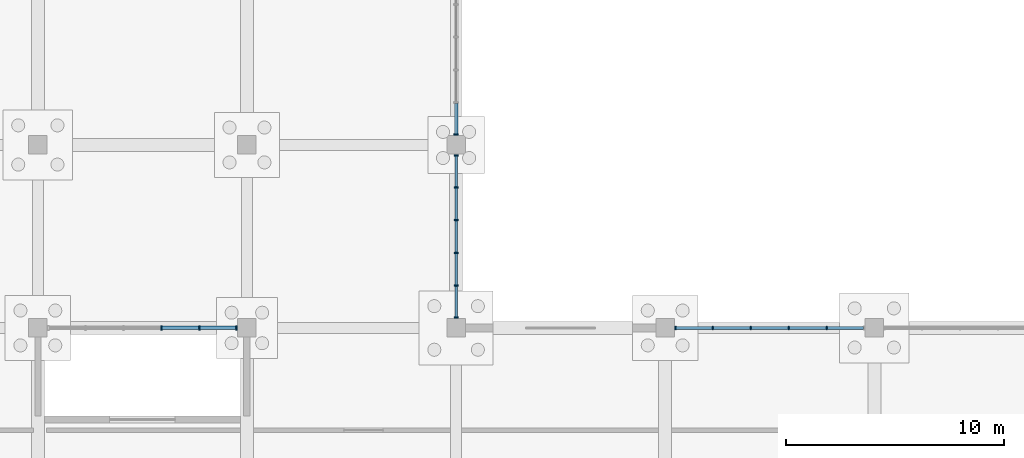
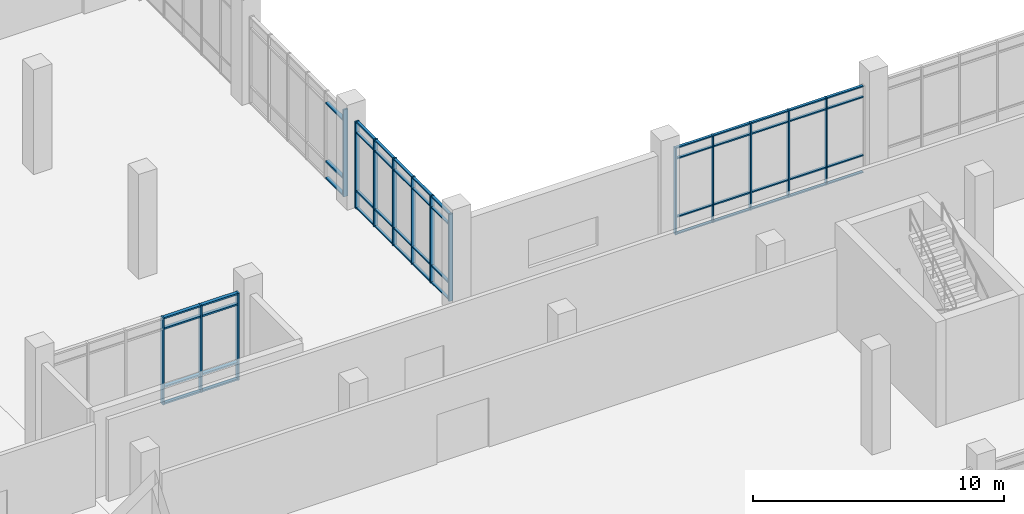
# One storey, part 45 of 136: 66 members, 4 elements without a shape of their own.
"""IFC4 building model written with IfcOpenShell, lengths in metres."""

from ifc_helpers import new_model, si_unit, direction, frame, origin, origin_2d, place, context, subcontext, project, spatial, rectangle, extrude, material, material_profile, profile_set, type_object, element, aggregate, save


model = new_model("IFC4")

# Units and contexts
model_context = context("Model", 3, precision=1e-05, world=origin(), true_north=direction((0.0, 1.0)))
body_context = subcontext(model_context, "Body", "Model", "MODEL_VIEW")
ifc_project = project(units=[si_unit("LENGTHUNIT", "METRE"), si_unit("AREAUNIT", "SQUARE_METRE"), si_unit("VOLUMEUNIT", "CUBIC_METRE"), si_unit("PLANEANGLEUNIT", "RADIAN"), si_unit("MASSUNIT", "GRAM", prefix="KILO")], contexts=[model_context])

# Site, building, storey
site_placement = place(None, origin())
site = spatial("IfcSite", under=ifc_project, at=site_placement, CompositionType="ELEMENT")
building_placement = place(site_placement, origin())
building = spatial("IfcBuilding", under=site, at=building_placement, Name="Oolite Switchyard Hospital", CompositionType="ELEMENT")
storey_placement = place(building_placement, origin())
storey = spatial("IfcBuildingStorey", under=building, at=storey_placement, Name="L00", CompositionType="ELEMENT", Elevation=0.0)

# Curtain wall, members
ifc_material_1 = material(Name="Thermally broken aluminum frame with laminated impact glazing", Category="aluminium")
curtain_wall_type_1 = type_object("IfcCurtainWallType", Name="CW-UNIT-96X51", PredefinedType="USERDEFINED", material=ifc_material_1)
curtain_wall_1_placement = place(storey_placement, origin())
curtain_wall_1 = element("IfcCurtainWall", 1, at=curtain_wall_1_placement, inside=storey, type_object=curtain_wall_type_1, Name="L00 Unitised Curtain Wall 42", ObjectType="UNITISED", PredefinedType="USERDEFINED")
ifc_material_2 = material(Name="Aluminium 6063-T6", Category="aluminium")
ifc_material_profile_1 = material_profile(ifc_material_2, rectangle(XDim=0.159912109375, YDim=0.06005859375, at=origin_2d()), Name="CWM60X160")
ifc_profile_set_1 = profile_set([ifc_material_profile_1], Name="Aluminium 6063-T6")
member_type_1 = type_object("IfcMemberType", Name="CW-MUL-180", PredefinedType="MULLION", material=ifc_profile_set_1)
member_1_placement = place(storey_placement, frame((86.8701171875, 109.199951171875, 0.0), z_axis=(0.0, 0.0, 1.0), x_axis=(0.0, 1.0, 0.0)))
member_1 = element("IfcMember", 2, at=member_1_placement, type_object=member_type_1, Name="CW-01 mullion 1", PredefinedType="MULLION", context=body_context, shape_type="SweptSolid", body=[
    extrude(rectangle(XDim=0.159912109375, YDim=0.06005859375, at=origin_2d()), origin(), (0.0, 0.0, 1.0), 4.239990234375),
])
member_2_placement = place(storey_placement, frame((88.583984375, 109.199951171875, 0.0), z_axis=(0.0, 0.0, 1.0), x_axis=(0.0, 1.0, 0.0)))
member_2 = element("IfcMember", 3, at=member_2_placement, type_object=member_type_1, Name="CW-01 mullion 2", PredefinedType="MULLION", context=body_context, shape_type="SweptSolid", body=[
    extrude(rectangle(XDim=0.159912109375, YDim=0.06005859375, at=origin_2d()), origin(), (0.0, 0.0, 1.0), 4.239990234375),
])
member_3_placement = place(storey_placement, frame((90.327880859375, 109.199951171875, 0.0), z_axis=(0.0, 0.0, 1.0), x_axis=(0.0, 1.0, 0.0)))
member_3 = element("IfcMember", 4, at=member_3_placement, type_object=member_type_1, Name="CW-01 mullion 3", PredefinedType="MULLION", context=body_context, shape_type="SweptSolid", body=[
    extrude(rectangle(XDim=0.159912109375, YDim=0.06005859375, at=origin_2d()), origin(), (0.0, 0.0, 1.0), 4.239990234375),
])
member_4_placement = place(storey_placement, frame((92.072021484375, 109.199951171875, 0.0), z_axis=(0.0, 0.0, 1.0), x_axis=(0.0, 1.0, 0.0)))
member_4 = element("IfcMember", 5, at=member_4_placement, type_object=member_type_1, Name="CW-01 mullion 4", PredefinedType="MULLION", context=body_context, shape_type="SweptSolid", body=[
    extrude(rectangle(XDim=0.159912109375, YDim=0.06005859375, at=origin_2d()), origin(), (0.0, 0.0, 1.0), 4.239990234375),
])
member_5_placement = place(storey_placement, frame((93.81591796875, 109.199951171875, 0.0), z_axis=(0.0, 0.0, 1.0), x_axis=(0.0, 1.0, 0.0)))
member_5 = element("IfcMember", 6, at=member_5_placement, type_object=member_type_1, Name="CW-01 mullion 5", PredefinedType="MULLION", context=body_context, shape_type="SweptSolid", body=[
    extrude(rectangle(XDim=0.159912109375, YDim=0.06005859375, at=origin_2d()), origin(), (0.0, 0.0, 1.0), 4.239990234375),
])

curtain_wall_type_2 = type_object("IfcCurtainWallType", Name="CW-UNIT-84X51", PredefinedType="USERDEFINED", material=ifc_material_1)
curtain_wall_2_placement = place(storey_placement, origin())
curtain_wall_2 = element("IfcCurtainWall", 7, at=curtain_wall_2_placement, inside=storey, type_object=curtain_wall_type_2, Name="L00 Unitised Curtain Wall 64", ObjectType="UNITISED", PredefinedType="USERDEFINED")
ifc_material_profile_2 = material_profile(ifc_material_2, rectangle(XDim=0.179931640625, YDim=0.070068359375, at=origin_2d()), Name="CWM70X180")
ifc_profile_set_2 = profile_set([ifc_material_profile_2], Name="Aluminium 6063-T6")
member_type_2 = type_object("IfcMemberType", Name="CW-MUL-220", PredefinedType="MULLION", material=ifc_profile_set_2)
member_6_placement = place(storey_placement, frame((76.800048828125, 117.125, 0.0), z_axis=(0.0, 0.0, 1.0), x_axis=(1.0, 0.0, 0.0)))
member_6 = element("IfcMember", 8, at=member_6_placement, type_object=member_type_2, Name="CW-06 mullion 1", PredefinedType="MULLION", context=body_context, shape_type="SweptSolid", body=[
    extrude(rectangle(XDim=0.179931640625, YDim=0.070068359375, at=origin_2d()), origin(), (0.0, 0.0, 1.0), 4.239990234375),
])
member_7_placement = place(storey_placement, frame((76.800048828125, 115.656005859375, 0.0), z_axis=(0.0, 0.0, 1.0), x_axis=(1.0, 0.0, 0.0)))
member_7 = element("IfcMember", 9, at=member_7_placement, type_object=member_type_2, Name="CW-06 mullion 2", PredefinedType="MULLION", context=body_context, shape_type="SweptSolid", body=[
    extrude(rectangle(XDim=0.179931640625, YDim=0.070068359375, at=origin_2d()), origin(), (0.0, 0.0, 1.0), 4.239990234375),
])
member_8_placement = place(storey_placement, frame((76.800048828125, 114.152099609375, 0.0), z_axis=(0.0, 0.0, 1.0), x_axis=(1.0, 0.0, 0.0)))
member_8 = element("IfcMember", 10, at=member_8_placement, type_object=member_type_2, Name="CW-06 mullion 3", PredefinedType="MULLION", context=body_context, shape_type="SweptSolid", body=[
    extrude(rectangle(XDim=0.179931640625, YDim=0.070068359375, at=origin_2d()), origin(), (0.0, 0.0, 1.0), 4.239990234375),
])
member_9_placement = place(storey_placement, frame((76.800048828125, 112.64794921875, 0.0), z_axis=(0.0, 0.0, 1.0), x_axis=(1.0, 0.0, 0.0)))
member_9 = element("IfcMember", 11, at=member_9_placement, type_object=member_type_2, Name="CW-06 mullion 4", PredefinedType="MULLION", context=body_context, shape_type="SweptSolid", body=[
    extrude(rectangle(XDim=0.179931640625, YDim=0.070068359375, at=origin_2d()), origin(), (0.0, 0.0, 1.0), 4.239990234375),
])
member_10_placement = place(storey_placement, frame((76.800048828125, 111.14404296875, 0.0), z_axis=(0.0, 0.0, 1.0), x_axis=(1.0, 0.0, 0.0)))
member_10 = element("IfcMember", 12, at=member_10_placement, type_object=member_type_2, Name="CW-06 mullion 5", PredefinedType="MULLION", context=body_context, shape_type="SweptSolid", body=[
    extrude(rectangle(XDim=0.179931640625, YDim=0.070068359375, at=origin_2d()), origin(), (0.0, 0.0, 1.0), 4.239990234375),
])
member_11_placement = place(storey_placement, frame((76.800048828125, 109.675048828125, 0.0), z_axis=(0.0, 0.0, 1.0), x_axis=(1.0, 0.0, 0.0)))
member_11 = element("IfcMember", 13, at=member_11_placement, type_object=member_type_2, Name="CW-06 mullion 6", PredefinedType="MULLION", context=body_context, shape_type="SweptSolid", body=[
    extrude(rectangle(XDim=0.179931640625, YDim=0.070068359375, at=origin_2d()), origin(), (0.0, 0.0, 1.0), 4.239990234375),
])

curtain_wall_3_placement = place(storey_placement, origin())
curtain_wall_3 = element("IfcCurtainWall", 14, at=curtain_wall_3_placement, inside=storey, type_object=curtain_wall_type_1, Name="L00 Unitised Curtain Wall 41", ObjectType="UNITISED", PredefinedType="USERDEFINED")
ifc_material_profile_3 = material_profile(ifc_material_2, rectangle(XDim=0.199951171875, YDim=0.074951171875, at=origin_2d()), Name="CWM75X200")
ifc_profile_set_3 = profile_set([ifc_material_profile_3], Name="Aluminium 6063-T6")
member_type_3 = type_object("IfcMemberType", Name="CW-MUL-260", PredefinedType="MULLION", material=ifc_profile_set_3)
member_12_placement = place(storey_placement, frame((66.722412109375, 109.199951171875, 0.0), z_axis=(0.0, 0.0, 1.0), x_axis=(0.0, -1.0, 0.0)))
member_12 = element("IfcMember", 15, at=member_12_placement, type_object=member_type_3, Name="CW-01 mullion 1", PredefinedType="MULLION", context=body_context, shape_type="SweptSolid", body=[
    extrude(rectangle(XDim=0.199951171875, YDim=0.074951171875, at=origin_2d()), origin(), (0.0, 0.0, 1.0), 4.239990234375),
])
member_13_placement = place(storey_placement, frame((65.01611328125, 109.199951171875, 0.0), z_axis=(0.0, 0.0, 1.0), x_axis=(0.0, -1.0, 0.0)))
member_13 = element("IfcMember", 16, at=member_13_placement, type_object=member_type_3, Name="CW-01 mullion 2", PredefinedType="MULLION", context=body_context, shape_type="SweptSolid", body=[
    extrude(rectangle(XDim=0.199951171875, YDim=0.074951171875, at=origin_2d()), origin(), (0.0, 0.0, 1.0), 4.239990234375),
])
member_14_placement = place(storey_placement, frame((63.27197265625, 109.199951171875, 0.0), z_axis=(0.0, 0.0, 1.0), x_axis=(0.0, -1.0, 0.0)))
member_14 = element("IfcMember", 17, at=member_14_placement, type_object=member_type_3, Name="CW-01 mullion 3", PredefinedType="MULLION", context=body_context, shape_type="SweptSolid", body=[
    extrude(rectangle(XDim=0.199951171875, YDim=0.074951171875, at=origin_2d()), origin(), (0.0, 0.0, 1.0), 4.239990234375),
])

# Curtain wall, member
curtain_wall_4_placement = place(storey_placement, origin())
curtain_wall_4 = element("IfcCurtainWall", 18, at=curtain_wall_4_placement, inside=storey, type_object=curtain_wall_type_2, Name="L00 Unitised Curtain Wall 65", ObjectType="UNITISED", PredefinedType="USERDEFINED")
member_15_placement = place(storey_placement, frame((76.800048828125, 118.077392578125, 0.0), z_axis=(0.0, 0.0, 1.0), x_axis=(1.0, 0.0, 0.0)))
member_15 = element("IfcMember", 19, at=member_15_placement, type_object=member_type_3, Name="CW-06 mullion 6", PredefinedType="MULLION", context=body_context, shape_type="SweptSolid", body=[
    extrude(rectangle(XDim=0.199951171875, YDim=0.074951171875, at=origin_2d()), origin(), (0.0, 0.0, 1.0), 4.239990234375),
])

# Member
ifc_material_profile_4 = material_profile(ifc_material_2, rectangle(XDim=0.1201171875, YDim=0.06005859375, at=origin_2d()), Name="CWT60X120")
ifc_profile_set_4 = profile_set([ifc_material_profile_4], Name="Aluminium 6063-T6")
member_type_4 = type_object("IfcMemberType", Name="CW-TRN-150", PredefinedType="USERDEFINED", material=ifc_profile_set_4)
member_16_placement = place(storey_placement, frame((86.89990234375, 109.199951171875, 0.030029296875), z_axis=(1.0, 0.0, 0.0), x_axis=(0.0, 1.0, 0.0)))
member_16 = element("IfcMember", 20, at=member_16_placement, type_object=member_type_4, Name="CW-01 transom 1.1", ObjectType="TRANSOM", PredefinedType="USERDEFINED", context=body_context, shape_type="SweptSolid", body=[
    extrude(rectangle(XDim=0.1201171875, YDim=0.06005859375, at=origin_2d()), origin(), (0.0, 0.0, 1.0), 1.654052734375),
])

member_17_placement = place(storey_placement, frame((86.89990234375, 109.199951171875, 0.85009765625), z_axis=(1.0, 0.0, 0.0), x_axis=(0.0, 1.0, 0.0)))
member_17 = element("IfcMember", 21, at=member_17_placement, type_object=member_type_4, Name="CW-01 transom 1.2", ObjectType="TRANSOM", PredefinedType="USERDEFINED", context=body_context, shape_type="SweptSolid", body=[
    extrude(rectangle(XDim=0.1201171875, YDim=0.06005859375, at=origin_2d()), origin(), (0.0, 0.0, 1.0), 1.654052734375),
])

member_18_placement = place(storey_placement, frame((86.89990234375, 109.199951171875, 3.68994140625), z_axis=(1.0, 0.0, 0.0), x_axis=(0.0, 1.0, 0.0)))
member_18 = element("IfcMember", 22, at=member_18_placement, type_object=member_type_4, Name="CW-01 transom 1.3", ObjectType="TRANSOM", PredefinedType="USERDEFINED", context=body_context, shape_type="SweptSolid", body=[
    extrude(rectangle(XDim=0.1201171875, YDim=0.06005859375, at=origin_2d()), origin(), (0.0, 0.0, 1.0), 1.654052734375),
])

member_19_placement = place(storey_placement, frame((86.89990234375, 109.199951171875, 4.2099609375), z_axis=(1.0, 0.0, 0.0), x_axis=(0.0, 1.0, 0.0)))
member_19 = element("IfcMember", 23, at=member_19_placement, type_object=member_type_4, Name="CW-01 transom 1.4", ObjectType="TRANSOM", PredefinedType="USERDEFINED", context=body_context, shape_type="SweptSolid", body=[
    extrude(rectangle(XDim=0.1201171875, YDim=0.06005859375, at=origin_2d()), origin(), (0.0, 0.0, 1.0), 1.654052734375),
])

member_20_placement = place(storey_placement, frame((88.614013671875, 109.199951171875, 0.030029296875), z_axis=(1.0, 0.0, 0.0), x_axis=(0.0, 1.0, 0.0)))
member_20 = element("IfcMember", 24, at=member_20_placement, type_object=member_type_4, Name="CW-01 transom 2.1", ObjectType="TRANSOM", PredefinedType="USERDEFINED", context=body_context, shape_type="SweptSolid", body=[
    extrude(rectangle(XDim=0.1201171875, YDim=0.06005859375, at=origin_2d()), origin(), (0.0, 0.0, 1.0), 1.68408203125),
])

member_21_placement = place(storey_placement, frame((88.614013671875, 109.199951171875, 0.85009765625), z_axis=(1.0, 0.0, 0.0), x_axis=(0.0, 1.0, 0.0)))
member_21 = element("IfcMember", 25, at=member_21_placement, type_object=member_type_4, Name="CW-01 transom 2.2", ObjectType="TRANSOM", PredefinedType="USERDEFINED", context=body_context, shape_type="SweptSolid", body=[
    extrude(rectangle(XDim=0.1201171875, YDim=0.06005859375, at=origin_2d()), origin(), (0.0, 0.0, 1.0), 1.68408203125),
])

member_22_placement = place(storey_placement, frame((88.614013671875, 109.199951171875, 3.68994140625), z_axis=(1.0, 0.0, 0.0), x_axis=(0.0, 1.0, 0.0)))
member_22 = element("IfcMember", 26, at=member_22_placement, type_object=member_type_4, Name="CW-01 transom 2.3", ObjectType="TRANSOM", PredefinedType="USERDEFINED", context=body_context, shape_type="SweptSolid", body=[
    extrude(rectangle(XDim=0.1201171875, YDim=0.06005859375, at=origin_2d()), origin(), (0.0, 0.0, 1.0), 1.68408203125),
])

member_23_placement = place(storey_placement, frame((88.614013671875, 109.199951171875, 4.2099609375), z_axis=(1.0, 0.0, 0.0), x_axis=(0.0, 1.0, 0.0)))
member_23 = element("IfcMember", 27, at=member_23_placement, type_object=member_type_4, Name="CW-01 transom 2.4", ObjectType="TRANSOM", PredefinedType="USERDEFINED", context=body_context, shape_type="SweptSolid", body=[
    extrude(rectangle(XDim=0.1201171875, YDim=0.06005859375, at=origin_2d()), origin(), (0.0, 0.0, 1.0), 1.68408203125),
])

member_24_placement = place(storey_placement, frame((90.35791015625, 109.199951171875, 0.030029296875), z_axis=(1.0, 0.0, 0.0), x_axis=(0.0, 1.0, 0.0)))
member_24 = element("IfcMember", 28, at=member_24_placement, type_object=member_type_4, Name="CW-01 transom 3.1", ObjectType="TRANSOM", PredefinedType="USERDEFINED", context=body_context, shape_type="SweptSolid", body=[
    extrude(rectangle(XDim=0.1201171875, YDim=0.06005859375, at=origin_2d()), origin(), (0.0, 0.0, 1.0), 1.68408203125),
])

member_25_placement = place(storey_placement, frame((90.35791015625, 109.199951171875, 0.85009765625), z_axis=(1.0, 0.0, 0.0), x_axis=(0.0, 1.0, 0.0)))
member_25 = element("IfcMember", 29, at=member_25_placement, type_object=member_type_4, Name="CW-01 transom 3.2", ObjectType="TRANSOM", PredefinedType="USERDEFINED", context=body_context, shape_type="SweptSolid", body=[
    extrude(rectangle(XDim=0.1201171875, YDim=0.06005859375, at=origin_2d()), origin(), (0.0, 0.0, 1.0), 1.68408203125),
])

member_26_placement = place(storey_placement, frame((90.35791015625, 109.199951171875, 3.68994140625), z_axis=(1.0, 0.0, 0.0), x_axis=(0.0, 1.0, 0.0)))
member_26 = element("IfcMember", 30, at=member_26_placement, type_object=member_type_4, Name="CW-01 transom 3.3", ObjectType="TRANSOM", PredefinedType="USERDEFINED", context=body_context, shape_type="SweptSolid", body=[
    extrude(rectangle(XDim=0.1201171875, YDim=0.06005859375, at=origin_2d()), origin(), (0.0, 0.0, 1.0), 1.68408203125),
])

member_27_placement = place(storey_placement, frame((90.35791015625, 109.199951171875, 4.2099609375), z_axis=(1.0, 0.0, 0.0), x_axis=(0.0, 1.0, 0.0)))
member_27 = element("IfcMember", 31, at=member_27_placement, type_object=member_type_4, Name="CW-01 transom 3.4", ObjectType="TRANSOM", PredefinedType="USERDEFINED", context=body_context, shape_type="SweptSolid", body=[
    extrude(rectangle(XDim=0.1201171875, YDim=0.06005859375, at=origin_2d()), origin(), (0.0, 0.0, 1.0), 1.68408203125),
])

member_28_placement = place(storey_placement, frame((92.10205078125, 109.199951171875, 0.030029296875), z_axis=(1.0, 0.0, 0.0), x_axis=(0.0, 1.0, 0.0)))
member_28 = element("IfcMember", 32, at=member_28_placement, type_object=member_type_4, Name="CW-01 transom 4.1", ObjectType="TRANSOM", PredefinedType="USERDEFINED", context=body_context, shape_type="SweptSolid", body=[
    extrude(rectangle(XDim=0.1201171875, YDim=0.06005859375, at=origin_2d()), origin(), (0.0, 0.0, 1.0), 1.683837890625),
])

member_29_placement = place(storey_placement, frame((92.10205078125, 109.199951171875, 0.85009765625), z_axis=(1.0, 0.0, 0.0), x_axis=(0.0, 1.0, 0.0)))
member_29 = element("IfcMember", 33, at=member_29_placement, type_object=member_type_4, Name="CW-01 transom 4.2", ObjectType="TRANSOM", PredefinedType="USERDEFINED", context=body_context, shape_type="SweptSolid", body=[
    extrude(rectangle(XDim=0.1201171875, YDim=0.06005859375, at=origin_2d()), origin(), (0.0, 0.0, 1.0), 1.683837890625),
])

member_30_placement = place(storey_placement, frame((92.10205078125, 109.199951171875, 3.68994140625), z_axis=(1.0, 0.0, 0.0), x_axis=(0.0, 1.0, 0.0)))
member_30 = element("IfcMember", 34, at=member_30_placement, type_object=member_type_4, Name="CW-01 transom 4.3", ObjectType="TRANSOM", PredefinedType="USERDEFINED", context=body_context, shape_type="SweptSolid", body=[
    extrude(rectangle(XDim=0.1201171875, YDim=0.06005859375, at=origin_2d()), origin(), (0.0, 0.0, 1.0), 1.683837890625),
])

member_31_placement = place(storey_placement, frame((92.10205078125, 109.199951171875, 4.2099609375), z_axis=(1.0, 0.0, 0.0), x_axis=(0.0, 1.0, 0.0)))
member_31 = element("IfcMember", 35, at=member_31_placement, type_object=member_type_4, Name="CW-01 transom 4.4", ObjectType="TRANSOM", PredefinedType="USERDEFINED", context=body_context, shape_type="SweptSolid", body=[
    extrude(rectangle(XDim=0.1201171875, YDim=0.06005859375, at=origin_2d()), origin(), (0.0, 0.0, 1.0), 1.683837890625),
])

member_32_placement = place(storey_placement, frame((93.845947265625, 109.199951171875, 0.030029296875), z_axis=(1.0, 0.0, 0.0), x_axis=(0.0, 1.0, 0.0)))
member_32 = element("IfcMember", 36, at=member_32_placement, type_object=member_type_4, Name="CW-01 transom 5.1", ObjectType="TRANSOM", PredefinedType="USERDEFINED", context=body_context, shape_type="SweptSolid", body=[
    extrude(rectangle(XDim=0.1201171875, YDim=0.06005859375, at=origin_2d()), origin(), (0.0, 0.0, 1.0), 1.654052734375),
])

member_33_placement = place(storey_placement, frame((93.845947265625, 109.199951171875, 0.85009765625), z_axis=(1.0, 0.0, 0.0), x_axis=(0.0, 1.0, 0.0)))
member_33 = element("IfcMember", 37, at=member_33_placement, type_object=member_type_4, Name="CW-01 transom 5.2", ObjectType="TRANSOM", PredefinedType="USERDEFINED", context=body_context, shape_type="SweptSolid", body=[
    extrude(rectangle(XDim=0.1201171875, YDim=0.06005859375, at=origin_2d()), origin(), (0.0, 0.0, 1.0), 1.654052734375),
])

member_34_placement = place(storey_placement, frame((93.845947265625, 109.199951171875, 3.68994140625), z_axis=(1.0, 0.0, 0.0), x_axis=(0.0, 1.0, 0.0)))
member_34 = element("IfcMember", 38, at=member_34_placement, type_object=member_type_4, Name="CW-01 transom 5.3", ObjectType="TRANSOM", PredefinedType="USERDEFINED", context=body_context, shape_type="SweptSolid", body=[
    extrude(rectangle(XDim=0.1201171875, YDim=0.06005859375, at=origin_2d()), origin(), (0.0, 0.0, 1.0), 1.654052734375),
])

member_35_placement = place(storey_placement, frame((93.845947265625, 109.199951171875, 4.2099609375), z_axis=(1.0, 0.0, 0.0), x_axis=(0.0, 1.0, 0.0)))
member_35 = element("IfcMember", 39, at=member_35_placement, type_object=member_type_4, Name="CW-01 transom 5.4", ObjectType="TRANSOM", PredefinedType="USERDEFINED", context=body_context, shape_type="SweptSolid", body=[
    extrude(rectangle(XDim=0.1201171875, YDim=0.06005859375, at=origin_2d()), origin(), (0.0, 0.0, 1.0), 1.654052734375),
])

aggregate(curtain_wall_1, [member_1, member_2, member_3, member_4, member_5, member_16, member_17, member_18, member_19, member_20, member_21, member_22, member_23, member_24, member_25, member_26, member_27, member_28, member_29, member_30, member_31, member_32, member_33, member_34, member_35])

member_36_placement = place(storey_placement, frame((76.800048828125, 117.090087890625, 0.030029296875), z_axis=(0.0, -1.0, 0.0), x_axis=(1.0, 0.0, 0.0)))
member_36 = element("IfcMember", 40, at=member_36_placement, type_object=member_type_4, Name="CW-06 transom 1.1", ObjectType="TRANSOM", PredefinedType="USERDEFINED", context=body_context, shape_type="SweptSolid", body=[
    extrude(rectangle(XDim=0.1201171875, YDim=0.06005859375, at=origin_2d()), origin(), (0.0, 0.0, 1.0), 1.399169921875),
])

member_37_placement = place(storey_placement, frame((76.800048828125, 117.090087890625, 0.85009765625), z_axis=(0.0, -1.0, 0.0), x_axis=(1.0, 0.0, 0.0)))
member_37 = element("IfcMember", 41, at=member_37_placement, type_object=member_type_4, Name="CW-06 transom 1.2", ObjectType="TRANSOM", PredefinedType="USERDEFINED", context=body_context, shape_type="SweptSolid", body=[
    extrude(rectangle(XDim=0.1201171875, YDim=0.06005859375, at=origin_2d()), origin(), (0.0, 0.0, 1.0), 1.399169921875),
])

member_38_placement = place(storey_placement, frame((76.800048828125, 117.090087890625, 3.68994140625), z_axis=(0.0, -1.0, 0.0), x_axis=(1.0, 0.0, 0.0)))
member_38 = element("IfcMember", 42, at=member_38_placement, type_object=member_type_4, Name="CW-06 transom 1.3", ObjectType="TRANSOM", PredefinedType="USERDEFINED", context=body_context, shape_type="SweptSolid", body=[
    extrude(rectangle(XDim=0.1201171875, YDim=0.06005859375, at=origin_2d()), origin(), (0.0, 0.0, 1.0), 1.399169921875),
])

member_39_placement = place(storey_placement, frame((76.800048828125, 117.090087890625, 4.2099609375), z_axis=(0.0, -1.0, 0.0), x_axis=(1.0, 0.0, 0.0)))
member_39 = element("IfcMember", 43, at=member_39_placement, type_object=member_type_4, Name="CW-06 transom 1.4", ObjectType="TRANSOM", PredefinedType="USERDEFINED", context=body_context, shape_type="SweptSolid", body=[
    extrude(rectangle(XDim=0.1201171875, YDim=0.06005859375, at=origin_2d()), origin(), (0.0, 0.0, 1.0), 1.399169921875),
])

member_40_placement = place(storey_placement, frame((76.800048828125, 115.62109375, 0.030029296875), z_axis=(0.0, -1.0, 0.0), x_axis=(1.0, 0.0, 0.0)))
member_40 = element("IfcMember", 44, at=member_40_placement, type_object=member_type_4, Name="CW-06 transom 2.1", ObjectType="TRANSOM", PredefinedType="USERDEFINED", context=body_context, shape_type="SweptSolid", body=[
    extrude(rectangle(XDim=0.1201171875, YDim=0.06005859375, at=origin_2d()), origin(), (0.0, 0.0, 1.0), 1.43408203125),
])

member_41_placement = place(storey_placement, frame((76.800048828125, 115.62109375, 0.85009765625), z_axis=(0.0, -1.0, 0.0), x_axis=(1.0, 0.0, 0.0)))
member_41 = element("IfcMember", 45, at=member_41_placement, type_object=member_type_4, Name="CW-06 transom 2.2", ObjectType="TRANSOM", PredefinedType="USERDEFINED", context=body_context, shape_type="SweptSolid", body=[
    extrude(rectangle(XDim=0.1201171875, YDim=0.06005859375, at=origin_2d()), origin(), (0.0, 0.0, 1.0), 1.43408203125),
])

member_42_placement = place(storey_placement, frame((76.800048828125, 115.62109375, 3.68994140625), z_axis=(0.0, -1.0, 0.0), x_axis=(1.0, 0.0, 0.0)))
member_42 = element("IfcMember", 46, at=member_42_placement, type_object=member_type_4, Name="CW-06 transom 2.3", ObjectType="TRANSOM", PredefinedType="USERDEFINED", context=body_context, shape_type="SweptSolid", body=[
    extrude(rectangle(XDim=0.1201171875, YDim=0.06005859375, at=origin_2d()), origin(), (0.0, 0.0, 1.0), 1.43408203125),
])

member_43_placement = place(storey_placement, frame((76.800048828125, 115.62109375, 4.2099609375), z_axis=(0.0, -1.0, 0.0), x_axis=(1.0, 0.0, 0.0)))
member_43 = element("IfcMember", 47, at=member_43_placement, type_object=member_type_4, Name="CW-06 transom 2.4", ObjectType="TRANSOM", PredefinedType="USERDEFINED", context=body_context, shape_type="SweptSolid", body=[
    extrude(rectangle(XDim=0.1201171875, YDim=0.06005859375, at=origin_2d()), origin(), (0.0, 0.0, 1.0), 1.43408203125),
])

member_44_placement = place(storey_placement, frame((76.800048828125, 114.116943359375, 0.030029296875), z_axis=(0.0, -1.0, 0.0), x_axis=(1.0, 0.0, 0.0)))
member_44 = element("IfcMember", 48, at=member_44_placement, type_object=member_type_4, Name="CW-06 transom 3.1", ObjectType="TRANSOM", PredefinedType="USERDEFINED", context=body_context, shape_type="SweptSolid", body=[
    extrude(rectangle(XDim=0.1201171875, YDim=0.06005859375, at=origin_2d()), origin(), (0.0, 0.0, 1.0), 1.433837890625),
])

member_45_placement = place(storey_placement, frame((76.800048828125, 114.116943359375, 0.85009765625), z_axis=(0.0, -1.0, 0.0), x_axis=(1.0, 0.0, 0.0)))
member_45 = element("IfcMember", 49, at=member_45_placement, type_object=member_type_4, Name="CW-06 transom 3.2", ObjectType="TRANSOM", PredefinedType="USERDEFINED", context=body_context, shape_type="SweptSolid", body=[
    extrude(rectangle(XDim=0.1201171875, YDim=0.06005859375, at=origin_2d()), origin(), (0.0, 0.0, 1.0), 1.433837890625),
])

member_46_placement = place(storey_placement, frame((76.800048828125, 114.116943359375, 3.68994140625), z_axis=(0.0, -1.0, 0.0), x_axis=(1.0, 0.0, 0.0)))
member_46 = element("IfcMember", 50, at=member_46_placement, type_object=member_type_4, Name="CW-06 transom 3.3", ObjectType="TRANSOM", PredefinedType="USERDEFINED", context=body_context, shape_type="SweptSolid", body=[
    extrude(rectangle(XDim=0.1201171875, YDim=0.06005859375, at=origin_2d()), origin(), (0.0, 0.0, 1.0), 1.433837890625),
])

member_47_placement = place(storey_placement, frame((76.800048828125, 114.116943359375, 4.2099609375), z_axis=(0.0, -1.0, 0.0), x_axis=(1.0, 0.0, 0.0)))
member_47 = element("IfcMember", 51, at=member_47_placement, type_object=member_type_4, Name="CW-06 transom 3.4", ObjectType="TRANSOM", PredefinedType="USERDEFINED", context=body_context, shape_type="SweptSolid", body=[
    extrude(rectangle(XDim=0.1201171875, YDim=0.06005859375, at=origin_2d()), origin(), (0.0, 0.0, 1.0), 1.433837890625),
])

member_48_placement = place(storey_placement, frame((76.800048828125, 112.613037109375, 0.030029296875), z_axis=(0.0, -1.0, 0.0), x_axis=(1.0, 0.0, 0.0)))
member_48 = element("IfcMember", 52, at=member_48_placement, type_object=member_type_4, Name="CW-06 transom 4.1", ObjectType="TRANSOM", PredefinedType="USERDEFINED", context=body_context, shape_type="SweptSolid", body=[
    extrude(rectangle(XDim=0.1201171875, YDim=0.06005859375, at=origin_2d()), origin(), (0.0, 0.0, 1.0), 1.43408203125),
])

member_49_placement = place(storey_placement, frame((76.800048828125, 112.613037109375, 0.85009765625), z_axis=(0.0, -1.0, 0.0), x_axis=(1.0, 0.0, 0.0)))
member_49 = element("IfcMember", 53, at=member_49_placement, type_object=member_type_4, Name="CW-06 transom 4.2", ObjectType="TRANSOM", PredefinedType="USERDEFINED", context=body_context, shape_type="SweptSolid", body=[
    extrude(rectangle(XDim=0.1201171875, YDim=0.06005859375, at=origin_2d()), origin(), (0.0, 0.0, 1.0), 1.43408203125),
])

member_50_placement = place(storey_placement, frame((76.800048828125, 112.613037109375, 3.68994140625), z_axis=(0.0, -1.0, 0.0), x_axis=(1.0, 0.0, 0.0)))
member_50 = element("IfcMember", 54, at=member_50_placement, type_object=member_type_4, Name="CW-06 transom 4.3", ObjectType="TRANSOM", PredefinedType="USERDEFINED", context=body_context, shape_type="SweptSolid", body=[
    extrude(rectangle(XDim=0.1201171875, YDim=0.06005859375, at=origin_2d()), origin(), (0.0, 0.0, 1.0), 1.43408203125),
])

member_51_placement = place(storey_placement, frame((76.800048828125, 112.613037109375, 4.2099609375), z_axis=(0.0, -1.0, 0.0), x_axis=(1.0, 0.0, 0.0)))
member_51 = element("IfcMember", 55, at=member_51_placement, type_object=member_type_4, Name="CW-06 transom 4.4", ObjectType="TRANSOM", PredefinedType="USERDEFINED", context=body_context, shape_type="SweptSolid", body=[
    extrude(rectangle(XDim=0.1201171875, YDim=0.06005859375, at=origin_2d()), origin(), (0.0, 0.0, 1.0), 1.43408203125),
])

member_52_placement = place(storey_placement, frame((76.800048828125, 111.10888671875, 0.030029296875), z_axis=(0.0, -1.0, 0.0), x_axis=(1.0, 0.0, 0.0)))
member_52 = element("IfcMember", 56, at=member_52_placement, type_object=member_type_4, Name="CW-06 transom 5.1", ObjectType="TRANSOM", PredefinedType="USERDEFINED", context=body_context, shape_type="SweptSolid", body=[
    extrude(rectangle(XDim=0.1201171875, YDim=0.06005859375, at=origin_2d()), origin(), (0.0, 0.0, 1.0), 1.39892578125),
])

member_53_placement = place(storey_placement, frame((76.800048828125, 111.10888671875, 0.85009765625), z_axis=(0.0, -1.0, 0.0), x_axis=(1.0, 0.0, 0.0)))
member_53 = element("IfcMember", 57, at=member_53_placement, type_object=member_type_4, Name="CW-06 transom 5.2", ObjectType="TRANSOM", PredefinedType="USERDEFINED", context=body_context, shape_type="SweptSolid", body=[
    extrude(rectangle(XDim=0.1201171875, YDim=0.06005859375, at=origin_2d()), origin(), (0.0, 0.0, 1.0), 1.39892578125),
])

member_54_placement = place(storey_placement, frame((76.800048828125, 111.10888671875, 3.68994140625), z_axis=(0.0, -1.0, 0.0), x_axis=(1.0, 0.0, 0.0)))
member_54 = element("IfcMember", 58, at=member_54_placement, type_object=member_type_4, Name="CW-06 transom 5.3", ObjectType="TRANSOM", PredefinedType="USERDEFINED", context=body_context, shape_type="SweptSolid", body=[
    extrude(rectangle(XDim=0.1201171875, YDim=0.06005859375, at=origin_2d()), origin(), (0.0, 0.0, 1.0), 1.39892578125),
])

member_55_placement = place(storey_placement, frame((76.800048828125, 111.10888671875, 4.2099609375), z_axis=(0.0, -1.0, 0.0), x_axis=(1.0, 0.0, 0.0)))
member_55 = element("IfcMember", 59, at=member_55_placement, type_object=member_type_4, Name="CW-06 transom 5.4", ObjectType="TRANSOM", PredefinedType="USERDEFINED", context=body_context, shape_type="SweptSolid", body=[
    extrude(rectangle(XDim=0.1201171875, YDim=0.06005859375, at=origin_2d()), origin(), (0.0, 0.0, 1.0), 1.39892578125),
])

aggregate(curtain_wall_2, [member_6, member_7, member_8, member_9, member_10, member_11, member_36, member_37, member_38, member_39, member_40, member_41, member_42, member_43, member_44, member_45, member_46, member_47, member_48, member_49, member_50, member_51, member_52, member_53, member_54, member_55])

ifc_material_profile_5 = material_profile(ifc_material_2, rectangle(XDim=0.159912109375, YDim=0.074951171875, at=origin_2d()), Name="CWT75X160")
ifc_profile_set_5 = profile_set([ifc_material_profile_5], Name="Aluminium 6063-T6")
member_type_5 = type_object("IfcMemberType", Name="CW-TRN-180", PredefinedType="USERDEFINED", material=ifc_profile_set_5)
member_56_placement = place(storey_placement, frame((66.68505859375, 109.199951171875, 0.03759765625), z_axis=(-1.0, 0.0, 0.0), x_axis=(0.0, -1.0, 0.0)))
member_56 = element("IfcMember", 60, at=member_56_placement, type_object=member_type_5, Name="CW-01 transom 1.1", ObjectType="TRANSOM", PredefinedType="USERDEFINED", context=body_context, shape_type="SweptSolid", body=[
    extrude(rectangle(XDim=0.159912109375, YDim=0.074951171875, at=origin_2d()), origin(), (0.0, 0.0, 1.0), 1.631591796875),
])

member_57_placement = place(storey_placement, frame((66.68505859375, 109.199951171875, 0.85009765625), z_axis=(-1.0, 0.0, 0.0), x_axis=(0.0, -1.0, 0.0)))
member_57 = element("IfcMember", 61, at=member_57_placement, type_object=member_type_5, Name="CW-01 transom 1.2", ObjectType="TRANSOM", PredefinedType="USERDEFINED", context=body_context, shape_type="SweptSolid", body=[
    extrude(rectangle(XDim=0.159912109375, YDim=0.074951171875, at=origin_2d()), origin(), (0.0, 0.0, 1.0), 1.631591796875),
])

member_58_placement = place(storey_placement, frame((66.68505859375, 109.199951171875, 3.68994140625), z_axis=(-1.0, 0.0, 0.0), x_axis=(0.0, -1.0, 0.0)))
member_58 = element("IfcMember", 62, at=member_58_placement, type_object=member_type_5, Name="CW-01 transom 1.3", ObjectType="TRANSOM", PredefinedType="USERDEFINED", context=body_context, shape_type="SweptSolid", body=[
    extrude(rectangle(XDim=0.159912109375, YDim=0.074951171875, at=origin_2d()), origin(), (0.0, 0.0, 1.0), 1.631591796875),
])

member_59_placement = place(storey_placement, frame((66.68505859375, 109.199951171875, 4.202392578125), z_axis=(-1.0, 0.0, 0.0), x_axis=(0.0, -1.0, 0.0)))
member_59 = element("IfcMember", 63, at=member_59_placement, type_object=member_type_5, Name="CW-01 transom 1.4", ObjectType="TRANSOM", PredefinedType="USERDEFINED", context=body_context, shape_type="SweptSolid", body=[
    extrude(rectangle(XDim=0.159912109375, YDim=0.074951171875, at=origin_2d()), origin(), (0.0, 0.0, 1.0), 1.631591796875),
])

member_60_placement = place(storey_placement, frame((64.978515625, 109.199951171875, 0.03759765625), z_axis=(-1.0, 0.0, 0.0), x_axis=(0.0, -1.0, 0.0)))
member_60 = element("IfcMember", 64, at=member_60_placement, type_object=member_type_5, Name="CW-01 transom 2.1", ObjectType="TRANSOM", PredefinedType="USERDEFINED", context=body_context, shape_type="SweptSolid", body=[
    extrude(rectangle(XDim=0.159912109375, YDim=0.074951171875, at=origin_2d()), origin(), (0.0, 0.0, 1.0), 1.6689453125),
])

member_61_placement = place(storey_placement, frame((64.978515625, 109.199951171875, 0.85009765625), z_axis=(-1.0, 0.0, 0.0), x_axis=(0.0, -1.0, 0.0)))
member_61 = element("IfcMember", 65, at=member_61_placement, type_object=member_type_5, Name="CW-01 transom 2.2", ObjectType="TRANSOM", PredefinedType="USERDEFINED", context=body_context, shape_type="SweptSolid", body=[
    extrude(rectangle(XDim=0.159912109375, YDim=0.074951171875, at=origin_2d()), origin(), (0.0, 0.0, 1.0), 1.6689453125),
])

member_62_placement = place(storey_placement, frame((64.978515625, 109.199951171875, 3.68994140625), z_axis=(-1.0, 0.0, 0.0), x_axis=(0.0, -1.0, 0.0)))
member_62 = element("IfcMember", 66, at=member_62_placement, type_object=member_type_5, Name="CW-01 transom 2.3", ObjectType="TRANSOM", PredefinedType="USERDEFINED", context=body_context, shape_type="SweptSolid", body=[
    extrude(rectangle(XDim=0.159912109375, YDim=0.074951171875, at=origin_2d()), origin(), (0.0, 0.0, 1.0), 1.6689453125),
])

member_63_placement = place(storey_placement, frame((64.978515625, 109.199951171875, 4.202392578125), z_axis=(-1.0, 0.0, 0.0), x_axis=(0.0, -1.0, 0.0)))
member_63 = element("IfcMember", 67, at=member_63_placement, type_object=member_type_5, Name="CW-01 transom 2.4", ObjectType="TRANSOM", PredefinedType="USERDEFINED", context=body_context, shape_type="SweptSolid", body=[
    extrude(rectangle(XDim=0.159912109375, YDim=0.074951171875, at=origin_2d()), origin(), (0.0, 0.0, 1.0), 1.6689453125),
])

aggregate(curtain_wall_3, [member_12, member_13, member_14, member_56, member_57, member_58, member_59, member_60, member_61, member_62, member_63])

member_64_placement = place(storey_placement, frame((76.800048828125, 119.506591796875, 0.03759765625), z_axis=(0.0, -1.0, 0.0), x_axis=(1.0, 0.0, 0.0)))
member_64 = element("IfcMember", 68, at=member_64_placement, type_object=member_type_5, Name="CW-06 transom 5.1", ObjectType="TRANSOM", PredefinedType="USERDEFINED", context=body_context, shape_type="SweptSolid", body=[
    extrude(rectangle(XDim=0.159912109375, YDim=0.074951171875, at=origin_2d()), origin(), (0.0, 0.0, 1.0), 1.3916015625),
])

member_65_placement = place(storey_placement, frame((76.800048828125, 119.506591796875, 0.85009765625), z_axis=(0.0, -1.0, 0.0), x_axis=(1.0, 0.0, 0.0)))
member_65 = element("IfcMember", 69, at=member_65_placement, type_object=member_type_5, Name="CW-06 transom 5.2", ObjectType="TRANSOM", PredefinedType="USERDEFINED", context=body_context, shape_type="SweptSolid", body=[
    extrude(rectangle(XDim=0.159912109375, YDim=0.074951171875, at=origin_2d()), origin(), (0.0, 0.0, 1.0), 1.3916015625),
])

member_66_placement = place(storey_placement, frame((76.800048828125, 119.506591796875, 3.68994140625), z_axis=(0.0, -1.0, 0.0), x_axis=(1.0, 0.0, 0.0)))
member_66 = element("IfcMember", 70, at=member_66_placement, type_object=member_type_5, Name="CW-06 transom 5.3", ObjectType="TRANSOM", PredefinedType="USERDEFINED", context=body_context, shape_type="SweptSolid", body=[
    extrude(rectangle(XDim=0.159912109375, YDim=0.074951171875, at=origin_2d()), origin(), (0.0, 0.0, 1.0), 1.3916015625),
])

aggregate(curtain_wall_4, [member_15, member_64, member_65, member_66])

save(model, "model.ifc")
